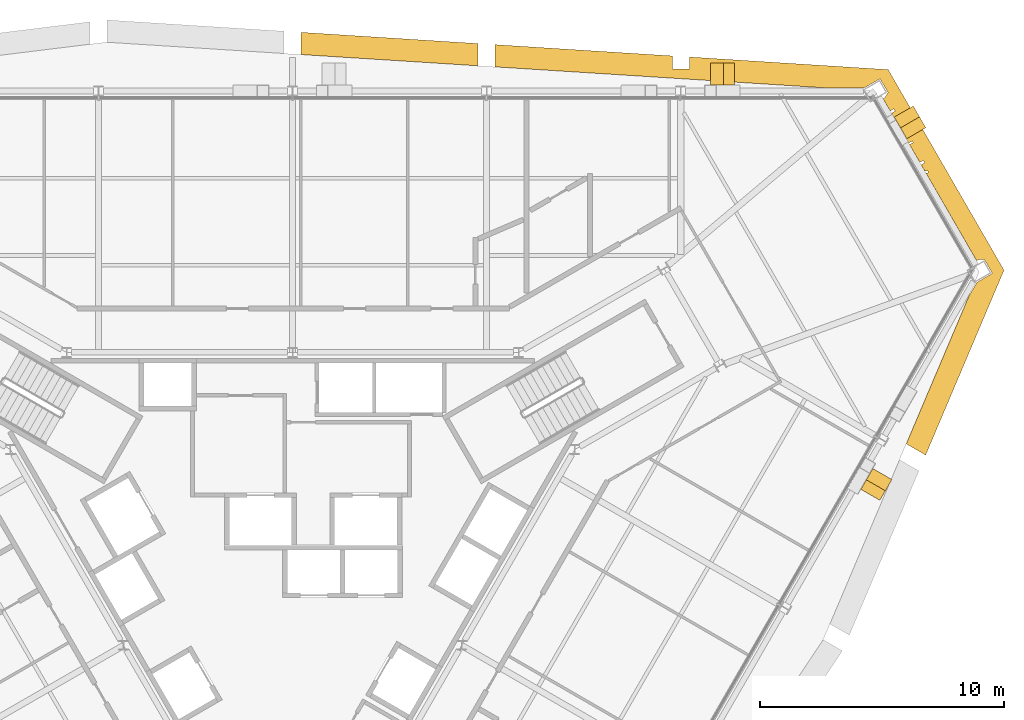
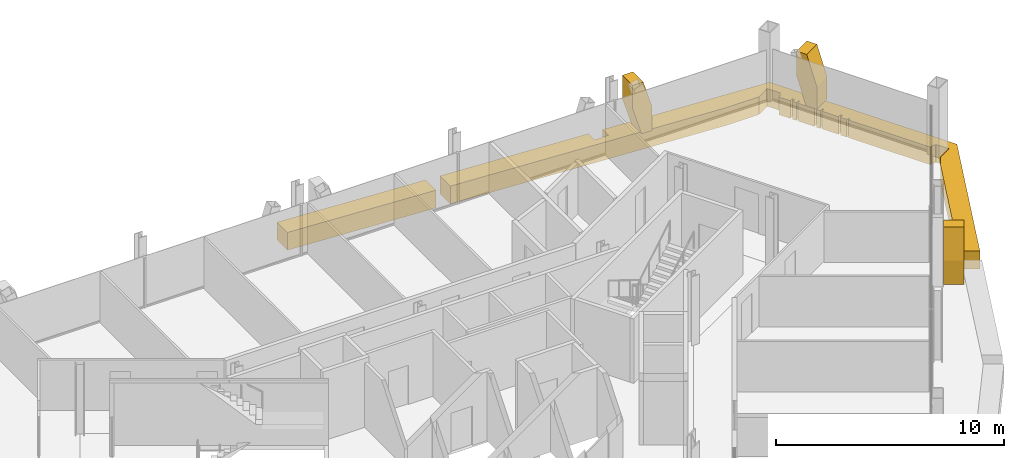
# One storey, part 14 of 14: 5 coverings.
"""IFC4 building model written with IfcOpenShell, lengths in metres."""

from ifc_helpers import new_model, si_unit, direction, frame, origin, place, context, subcontext, project, spatial, polyline, outline, extrude, material, layer, layer_set, type_object, element, save


model = new_model("IFC4")

# Units and contexts
model_context = context("Model", 3, precision=1e-05, world=origin(), true_north=direction((0.0, 1.0)))
body_context = subcontext(model_context, "Body", "Model", "MODEL_VIEW")
ifc_project = project(units=[si_unit("LENGTHUNIT", "METRE"), si_unit("AREAUNIT", "SQUARE_METRE"), si_unit("VOLUMEUNIT", "CUBIC_METRE"), si_unit("PLANEANGLEUNIT", "RADIAN"), si_unit("MASSUNIT", "GRAM", prefix="KILO")], contexts=[model_context])

# Site, building, storey
site_placement = place(None, origin())
site = spatial("IfcSite", under=ifc_project, at=site_placement, CompositionType="ELEMENT")
building_placement = place(site_placement, origin())
building = spatial("IfcBuilding", under=site, at=building_placement, Name="Verrane Prism Tower", CompositionType="ELEMENT")
storey_placement = place(building_placement, frame((0.0, 0.0, 193.199951171875)))
storey = spatial("IfcBuildingStorey", under=building, at=storey_placement, Name="L48", CompositionType="ELEMENT", Elevation=193.199951171875)

# Coverings
ifc_material_1 = material(Name="Warm limestone cladding", Category="masonry")
ifc_layer_1 = layer(ifc_material_1, 0.89990234375)
ifc_layer_set_1 = layer_set([ifc_layer_1], Name="Stone brace fin 900")
covering_type_1 = type_object("IfcCoveringType", Name="Stone brace fin 900", PredefinedType="CLADDING", material=ifc_layer_set_1)
covering_1_placement = place(storey_placement, frame((18.096923828125, 19.4140625, 0.0), z_axis=(0.0, 0.0, 1.0), x_axis=(-1.0, 0.0, 0.0)))
element("IfcCovering", 1, at=covering_1_placement, inside=storey, type_object=covering_type_1, Name="Stone brace fin N1 L48", PredefinedType="CLADDING", context=body_context, shape_type="SweptSolid", body=[
    extrude(outline(polyline([(0.982421875, 2.75), (0.45068359375, 2.75), (0.0, 1.283447265625), (0.0, 0.0), (0.527587890625, 0.0), (0.982421875, 1.4794921875), (0.982421875, 2.75)])), frame((0.0, 0.449951171875, 0.0), z_axis=(0.0, -1.0, 0.0), x_axis=(1.0, 0.0, 0.0)), (0.0, 0.0, 1.0), 0.89990234375),
])
covering_2_placement = place(storey_placement, frame((23.671142578125, 2.166259765625, 0.0), z_axis=(0.0, 0.0, 1.0), x_axis=(0.500203040675, 0.865908146456, 0.0)))
element("IfcCovering", 2, at=covering_2_placement, inside=storey, type_object=covering_type_1, Name="Stone brace fin SE5 L48", PredefinedType="CLADDING", context=body_context, shape_type="SweptSolid", body=[
    extrude(outline(polyline([(0.98193359375, 2.75), (0.45068359375, 2.75), (0.0, 1.283447265625), (0.0, 0.0), (0.52734375, 0.0), (0.98193359375, 1.4794921875), (0.98193359375, 2.75)])), frame((0.0, 0.449951171875, 0.0), z_axis=(0.0, -1.0, 0.0), x_axis=(1.0, 0.0, 0.0)), (0.0, 0.0, 1.0), 0.89990234375),
])
covering_3_placement = place(storey_placement, frame((25.552978515625, 16.9814453125, 0.0), z_axis=(0.0, 0.0, 1.0), x_axis=(-0.499853014394, 0.866110249334, 0.0)))
element("IfcCovering", 3, at=covering_3_placement, inside=storey, type_object=covering_type_1, Name="Stone brace fin NE1 L48", PredefinedType="CLADDING", context=body_context, shape_type="SweptSolid", body=[
    extrude(outline(polyline([(1.025146484375, 2.75), (0.51318359375, 2.75), (0.0, 1.194091796875), (0.0, 0.0), (0.553955078125, 0.0), (1.025146484375, 1.428955078125), (1.025146484375, 2.75)])), frame((0.0, 0.449951171875, 0.0), z_axis=(0.0, -1.0, 0.0), x_axis=(1.0, 0.0, 0.0)), (0.0, 0.0, 1.0), 0.89990234375),
])
ifc_material_2 = material(Name="Warm limestone cladding", Category="masonry")
ifc_layer_2 = layer(ifc_material_2, 0.449951171875)
ifc_layer_set_2 = layer_set([ifc_layer_2], Name="Stone spandrel band 450")
covering_type_2 = type_object("IfcCoveringType", Name="Stone spandrel band 450", PredefinedType="CLADDING", material=ifc_layer_set_2)
covering_4_placement = place(storey_placement, frame((0.0, 0.0, -0.949951171875)))
element("IfcCovering", 4, at=covering_4_placement, inside=storey, type_object=covering_type_2, Name="Stone spandrel band L48 part 2", PredefinedType="CLADDING", context=body_context, shape_type="SweptSolid", body=[
    extrude(outline(polyline([(8.30224609375, 19.697998046875), (21.757080078125, 18.843505859375), (23.430908203125, 18.843505859375), (24.0673828125, 19.210693359375), (24.3974609375, 18.63916015625), (24.37841796875, 18.628173828125), (24.267578125, 18.43896484375), (24.192138671875, 18.3955078125), (24.481201171875, 17.895263671875), (24.627685546875, 17.979736328125), (24.6826171875, 17.885009765625), (24.535888671875, 17.80029296875), (24.632080078125, 17.6337890625), (24.778564453125, 17.71826171875), (24.814208984375, 17.656494140625), (24.667724609375, 17.572021484375), (25.088134765625, 16.84375), (25.234619140625, 16.927978515625), (25.291015625, 16.830078125), (25.144775390625, 16.745849609375), (25.2421875, 16.57666015625), (25.388671875, 16.6611328125), (25.42431640625, 16.599609375), (25.27783203125, 16.51513671875), (25.698486328125, 15.78662109375), (25.844482421875, 15.870849609375), (25.901123046875, 15.77294921875), (25.7548828125, 15.688720703125), (25.897705078125, 15.441650390625), (26.034912109375, 15.427734375), (26.0263671875, 15.3447265625), (25.948974609375, 15.352783203125), (28.025146484375, 11.7568359375), (28.099609375, 11.7998046875), (28.318359375, 11.7998046875), (28.33740234375, 11.810791015625), (28.66748046875, 11.2392578125), (28.037353515625, 10.87548828125), (27.706298828125, 10.302001953125), (25.142333984375, 4.253173828125), (25.936279296875, 3.794921875), (29.146240234375, 11.367919921875), (24.40087890625, 19.587158203125), (16.25439453125, 20.1044921875), (16.25439453125, 19.60302734375), (15.554443359375, 19.60302734375), (15.554443359375, 20.14892578125), (8.30224609375, 20.609619140625), (8.30224609375, 19.697998046875)])), origin(), (0.0, 0.0, 1.0), 0.949951171875),
])
covering_5_placement = place(storey_placement, frame((0.0, 0.0, -0.949951171875)))
element("IfcCovering", 5, at=covering_5_placement, inside=storey, type_object=covering_type_2, Name="Stone spandrel band L48 part 10", PredefinedType="CLADDING", context=body_context, shape_type="SweptSolid", body=[
    extrude(outline(polyline([(0.35009765625, 20.202880859375), (7.602294921875, 19.7421875), (7.602294921875, 20.654052734375), (0.35009765625, 21.114501953125), (0.35009765625, 20.202880859375)])), origin(), (0.0, 0.0, 1.0), 0.949951171875),
])

save(model, "model.ifc")
